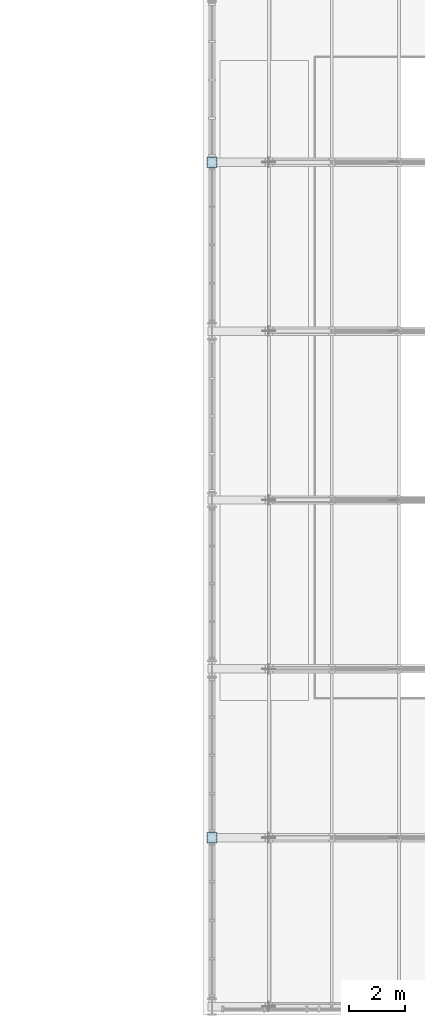
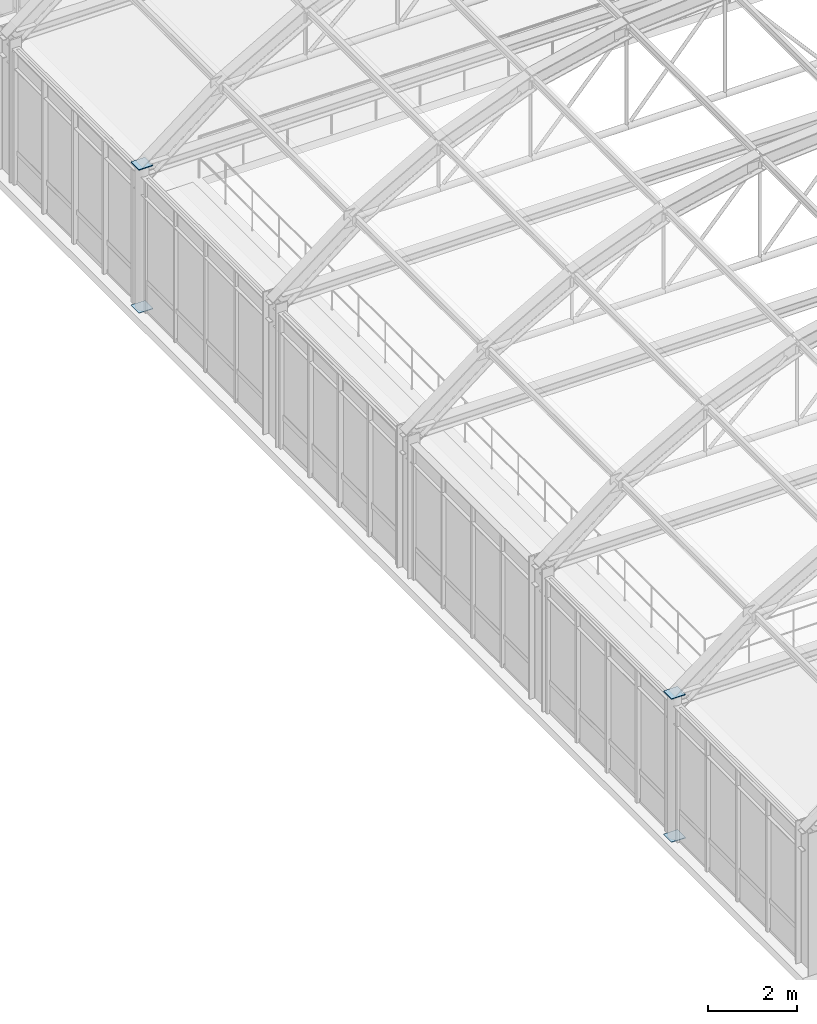
# One storey, part 113 of 148: 4 plates.
"""IFC4 building model written with IfcOpenShell, lengths in metres."""

from ifc_helpers import new_model, si_unit, direction, frame, origin, origin_2d, place, context, subcontext, project, spatial, rectangle, extrude, material, layer, layer_set, type_object, element, save


model = new_model("IFC4")

# Units and contexts
model_context = context("Model", 3, precision=1e-05, world=origin(), true_north=direction((0.0, 1.0)))
body_context = subcontext(model_context, "Body", "Model", "MODEL_VIEW")
ifc_project = project(units=[si_unit("LENGTHUNIT", "METRE"), si_unit("AREAUNIT", "SQUARE_METRE"), si_unit("VOLUMEUNIT", "CUBIC_METRE"), si_unit("PLANEANGLEUNIT", "RADIAN"), si_unit("MASSUNIT", "GRAM", prefix="KILO"), si_unit("THERMODYNAMICTEMPERATUREUNIT", "KELVIN"), si_unit("POWERUNIT", "WATT")], contexts=[model_context])

# Site, building, storey
site_placement = place(None, origin())
site = spatial("IfcSite", under=ifc_project, at=site_placement, CompositionType="ELEMENT")
building_placement = place(site_placement, origin())
building = spatial("IfcBuilding", under=site, at=building_placement, Name="Solvatero Civic Police Headquarters", CompositionType="ELEMENT")
storey_placement = place(building_placement, frame((0.0, 0.0, 5.10009765625)))
storey = spatial("IfcBuildingStorey", under=building, at=storey_placement, Name="L01", CompositionType="ELEMENT", Elevation=5.10009765625)

# Plates
ifc_material = material(Name="Steel S355", Category="steel")
ifc_layer = layer(ifc_material, 0.02001953125)
ifc_layer_set = layer_set([ifc_layer], Name="Steel S355")
plate_type = type_object("IfcPlateType", Name="PLT-CAP-20", PredefinedType="SHEET", material=ifc_layer_set)
for number, where, z_axis, x_axis, name in (
    (1, (98.800048828125, 10.800048828125, 3.919921875), (0.0, 0.0, 1.0), (1.0, 0.0, 0.0), "Hollow Section End Cap Plate 0059"),
    (2, (98.800048828125, 10.800048828125, -0.02001953125), (0.0, 0.0, 1.0), (1.0, 0.0, 0.0), "Hollow Section End Cap Plate 0060"),
    (3, (98.800048828125, 34.800048828125, 3.919921875), (0.0, 0.0, 1.0), (1.0, 0.0, 0.0), "Hollow Section End Cap Plate 0061"),
    (4, (98.800048828125, 34.800048828125, -0.02001953125), (0.0, 0.0, 1.0), (1.0, 0.0, 0.0), "Hollow Section End Cap Plate 0062"),
):
    element("IfcPlate", number, at=place(storey_placement, frame(where, z_axis=z_axis, x_axis=x_axis)), inside=storey, type_object=plate_type, Name=name, PredefinedType="SHEET", context=body_context, shape_type="SweptSolid", body=[
        extrude(rectangle(XDim=0.364013671875, YDim=0.364013671875, at=origin_2d()), origin(), (0.0, 0.0, 1.0), 0.02001953125),
    ])

save(model, "model.ifc")
